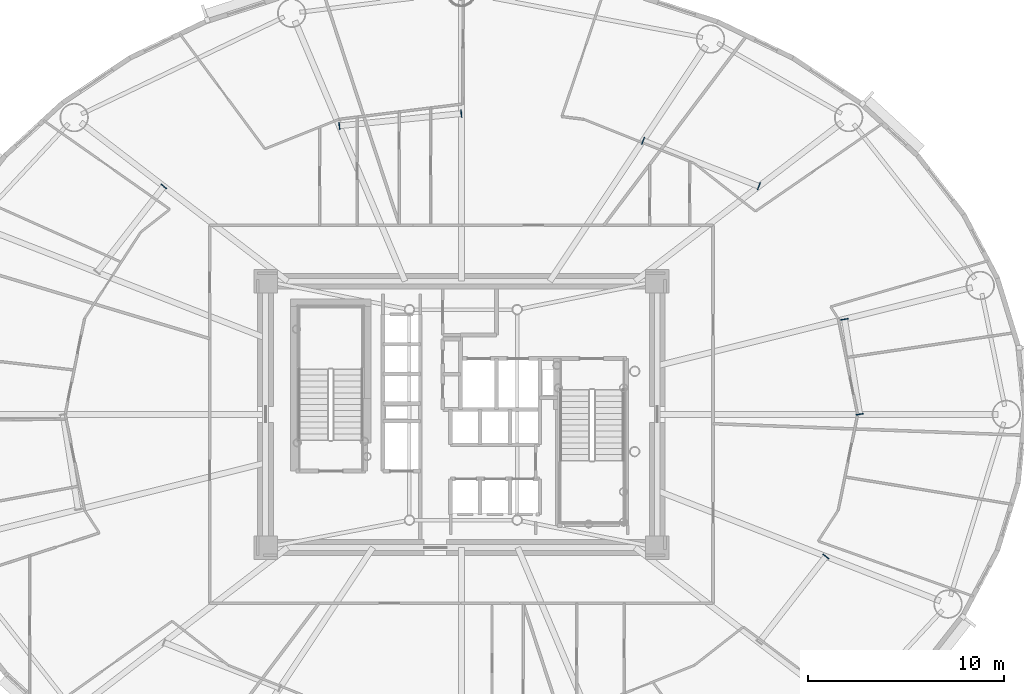
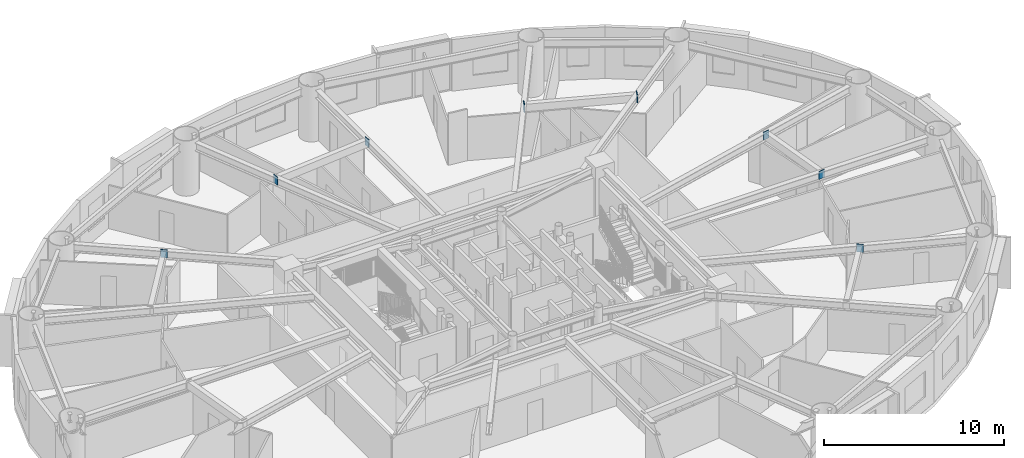
# One storey, part 7 of 19: 8 plates.
"""IFC4 building model written with IfcOpenShell, lengths in metres."""

from ifc_helpers import new_model, si_unit, direction, frame, origin, origin_2d, place, context, subcontext, project, spatial, rectangle, extrude, source, transform, mapped, material, layer, layer_set, type_object, element, save


model = new_model("IFC4")

# Units and contexts
model_context = context("Model", 3, precision=1e-05, world=origin(), true_north=direction((0.0, 1.0)))
body_context = subcontext(model_context, "Body", "Model", "MODEL_VIEW")
ifc_project = project(units=[si_unit("LENGTHUNIT", "METRE"), si_unit("AREAUNIT", "SQUARE_METRE"), si_unit("VOLUMEUNIT", "CUBIC_METRE"), si_unit("PLANEANGLEUNIT", "RADIAN"), si_unit("MASSUNIT", "GRAM", prefix="KILO")], contexts=[model_context])

# Site, building, storey
site_placement = place(None, origin())
site = spatial("IfcSite", under=ifc_project, at=site_placement, CompositionType="ELEMENT")
building_placement = place(site_placement, origin())
building = spatial("IfcBuilding", under=site, at=building_placement, Name="Linh Dai School and Residence Tower", CompositionType="ELEMENT")
storey_placement = place(building_placement, frame((0.0, 0.0, 112.199951171875)))
storey = spatial("IfcBuildingStorey", under=building, at=storey_placement, Name="L26", CompositionType="ELEMENT", Elevation=112.199951171875)

# Plates
ifc_material = material(Name="Structural Steel S355JR", Category="steel")
ifc_layer = layer(ifc_material, 0.0400390625)
ifc_layer_set = layer_set([ifc_layer], Name="Structural Steel S355JR")
plate_type = type_object("IfcPlateType", Name="PLT-GP1", PredefinedType="USERDEFINED", material=ifc_layer_set)
shared_shape = source(origin(), body_context, "Body", "SweptSolid", [
    extrude(rectangle(XDim=0.0400390625, YDim=0.3798828125, at=origin_2d()), origin(), (0.0, 0.0, 1.0), 0.5400390625),
])
for number, where, z_axis, x_axis, name in (
    (1, (56.337646484375, 27.0048828125, 2.97998046875), (0.0, 0.0, 1.0), (-0.157025103807, 0.987594611556, 0.0), "L26 Secondary Beam End Plate 01A"),
    (2, (55.56640625, 31.85546875, 2.97998046875), (0.0, 0.0, 1.0), (-0.157025103807, 0.987594611556, 0.0), "L26 Secondary Beam End Plate 01B"),
    (3, (51.189453125, 38.64794921875, 2.97998046875), (0.0, 0.0, 1.0), (-0.930752465806, 0.3656498973, 0.0), "L26 Secondary Beam End Plate 02A"),
    (4, (45.279296875, 40.969970703125, 2.97998046875), (0.0, 0.0, 1.0), (-0.930752465806, 0.3656498973, 0.0), "L26 Secondary Beam End Plate 02B"),
    (5, (35.9951171875, 42.357421875, 2.97998046875), (0.0, 0.0, 1.0), (-0.995041739642, -0.09945821419, 0.0), "L26 Secondary Beam End Plate 03A"),
    (6, (29.7705078125, 41.7353515625, 2.97998046875), (0.0, 0.0, 1.0), (-0.995041739642, -0.09945821419, 0.0), "L26 Secondary Beam End Plate 03B"),
    (7, (20.802734375, 38.64208984375, 2.97998046875), (0.0, 0.0, 1.0), (-0.614362913717, -0.789023580287, 0.0), "L26 Secondary Beam End Plate 04A"),
    (8, (54.609375, 19.739990234375, 2.97998046875), (0.0, 0.0, 1.0), (0.614362913717, 0.789023580287, 0.0), "L26 Secondary Beam End Plate 08B"),
):
    element("IfcPlate", number, at=place(storey_placement, frame(where, z_axis=z_axis, x_axis=x_axis)), inside=storey, type_object=plate_type, Name=name, ObjectType="GUSSET PLATE", PredefinedType="USERDEFINED", context=body_context, shape_type="MappedRepresentation", body=[
        mapped(shared_shape, transform((0.0, 0.0, 0.0), x_axis=(1.0, 0.0, 0.0), y_axis=(0.0, 1.0, 0.0), z_axis=(0.0, 0.0, 1.0), scale=1.0)),
    ])

save(model, "model.ifc")
